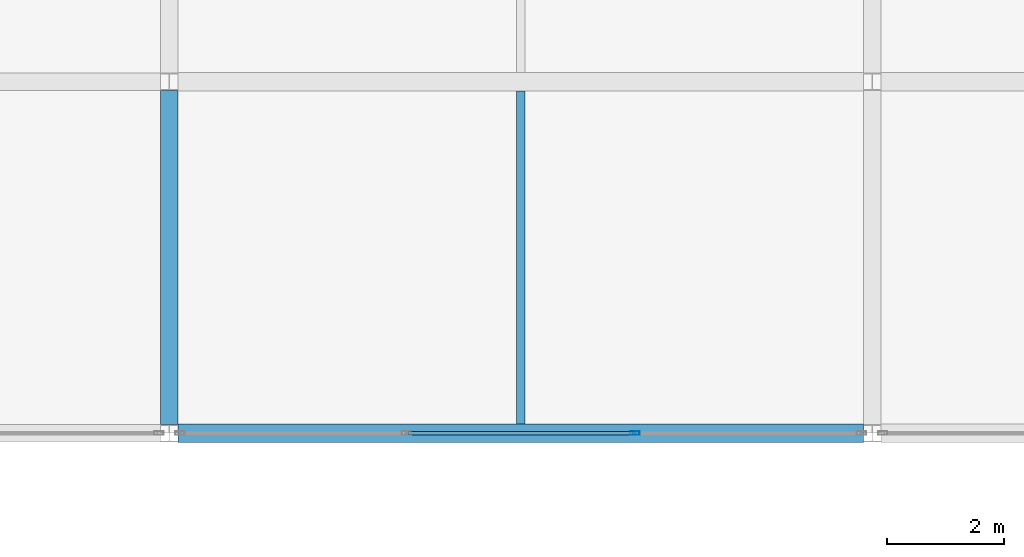
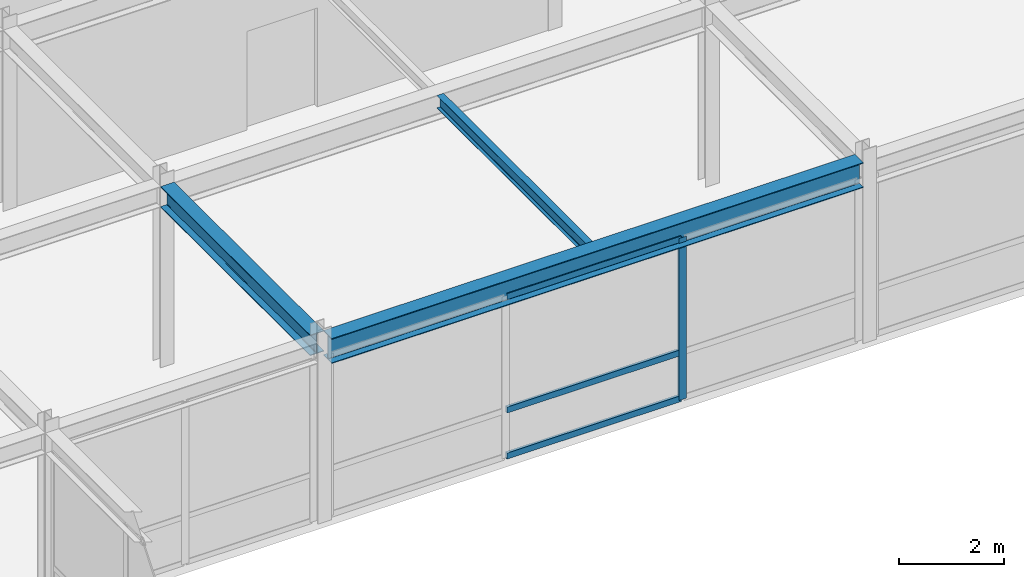
# One storey, part 69 of 108: 4 members, 3 beams, 1 element without a shape of its own.
"""IFC4 building model written with IfcOpenShell, lengths in metres."""

from ifc_helpers import new_model, si_unit, direction, frame, origin, origin_2d, place, context, subcontext, project, spatial, hollow_rectangle, i_section, extrude, material, layer, layer_set, material_profile, profile_set, type_object, element, aggregate, save


model = new_model("IFC4")

# Units and contexts
model_context = context("Model", 3, precision=1e-05, world=origin(), true_north=direction((0.0, 1.0)))
body_context = subcontext(model_context, "Body", "Model", "MODEL_VIEW")
ifc_project = project(units=[si_unit("LENGTHUNIT", "METRE"), si_unit("AREAUNIT", "SQUARE_METRE"), si_unit("VOLUMEUNIT", "CUBIC_METRE"), si_unit("PLANEANGLEUNIT", "RADIAN"), si_unit("MASSUNIT", "GRAM", prefix="KILO")], contexts=[model_context])

# Site, building, storey
site_placement = place(None, origin())
site = spatial("IfcSite", under=ifc_project, at=site_placement, CompositionType="ELEMENT")
building_placement = place(site_placement, origin())
building = spatial("IfcBuilding", under=site, at=building_placement, Name="Zlatovratsky Civic Hall", CompositionType="ELEMENT")
storey_placement = place(building_placement, frame((0.0, 0.0, 12.0)))
storey = spatial("IfcBuildingStorey", under=building, at=storey_placement, Name="L03", CompositionType="ELEMENT", Elevation=12.0)

# Beams
ifc_material_1 = material(Name="Steel S355", Category="steel")
ifc_material_profile_1 = material_profile(ifc_material_1, i_section(OverallWidth=0.300048828125, OverallDepth=0.48193359375, WebThickness=0.010986328125, FlangeThickness=0.014892578125, FilletRadius=0.02392578125, at=origin_2d()), Name="50Sh1")
ifc_profile_set_1 = profile_set([ifc_material_profile_1], Name="Steel S355")
beam_type_1 = type_object("IfcBeamType", Name="Beam_LibraryGirder_50Sh1", PredefinedType="BEAM", material=ifc_profile_set_1)
beam_1_placement = place(storey_placement, frame((24.0, 66.14794921875, 3.97900390625), z_axis=(0.0, 1.0, 0.0), x_axis=(-1.0, 0.0, 0.0)))
element("IfcBeam", 1, at=beam_1_placement, inside=storey, type_object=beam_type_1, Name="BM-2847", PredefinedType="BEAM", context=body_context, shape_type="SweptSolid", body=[
    extrude(i_section(OverallWidth=0.300048828125, OverallDepth=0.48193359375, WebThickness=0.010986328125, FlangeThickness=0.014892578125, FilletRadius=0.02392578125, at=origin_2d()), origin(), (0.0, 0.0, 1.0), 5.7041015625),
])
ifc_material_profile_2 = material_profile(ifc_material_1, i_section(OverallWidth=0.320068359375, OverallDepth=0.58203125, WebThickness=0.011962890625, FlangeThickness=0.01708984375, FilletRadius=0.02392578125, at=origin_2d()), Name="60Sh1")
ifc_profile_set_2 = profile_set([ifc_material_profile_2], Name="Steel S355")
beam_type_2 = type_object("IfcBeamType", Name="Beam_PodiumGirder_60Sh1", PredefinedType="BEAM", material=ifc_profile_set_2)
beam_2_placement = place(storey_placement, frame((24.1494140625, 66.0, 3.928955078125), z_axis=(1.0, 0.0, 0.0), x_axis=(0.0, 1.0, 0.0)))
element("IfcBeam", 2, at=beam_2_placement, inside=storey, type_object=beam_type_2, Name="BM-2608", PredefinedType="BEAM", context=body_context, shape_type="SweptSolid", body=[
    extrude(i_section(OverallWidth=0.320068359375, OverallDepth=0.58203125, WebThickness=0.011962890625, FlangeThickness=0.01708984375, FilletRadius=0.02392578125, at=origin_2d()), origin(), (0.0, 0.0, 1.0), 11.701171875),
])

# Curtain wall, members
ifc_material_2 = material(Name="Anodised bronze aluminium", Category="aluminium")
ifc_layer = layer(ifc_material_2, 0.159912109375)
ifc_layer_set = layer_set([ifc_layer], Name="Anodised bronze aluminium")
curtain_wall_type = type_object("IfcCurtainWallType", Name="CurtainWall_Bronze_11700x3770_11", PredefinedType="NOTDEFINED", material=ifc_layer_set)
curtain_wall_placement = place(storey_placement, origin())
curtain_wall = element("IfcCurtainWall", 3, at=curtain_wall_placement, inside=storey, type_object=curtain_wall_type, Name="CW-055", PredefinedType="NOTDEFINED")
ifc_material_profile_3 = material_profile(ifc_material_2, hollow_rectangle(XDim=0.06005859375, YDim=0.159912109375, WallThickness=0.00390625, at=origin_2d()), Name="ALU 60x160x4")
ifc_profile_set_3 = profile_set([ifc_material_profile_3], Name="Anodised bronze aluminium")
member_type_1 = type_object("IfcMemberType", Name="CW_Mullion_60x160", PredefinedType="MULLION", material=ifc_profile_set_3)
member_1_placement = place(storey_placement, frame((31.9501953125, 66.0, 0.0), z_axis=(0.0, 0.0, 1.0), x_axis=(0.0, 1.0, 0.0)))
member_1 = element("IfcMember", 4, at=member_1_placement, type_object=member_type_1, Name="CW-11 mullion 3", PredefinedType="MULLION", context=body_context, shape_type="SweptSolid", body=[
    extrude(hollow_rectangle(XDim=0.06005859375, YDim=0.159912109375, WallThickness=0.00390625, at=origin_2d()), origin(), (0.0, 0.0, 1.0), 3.77001953125),
])
ifc_material_profile_4 = material_profile(ifc_material_2, hollow_rectangle(XDim=0.06005859375, YDim=0.139892578125, WallThickness=0.00390625, at=origin_2d()), Name="ALU 60x140x4")
ifc_profile_set_4 = profile_set([ifc_material_profile_4], Name="Anodised bronze aluminium")
member_type_2 = type_object("IfcMemberType", Name="CW_Transom_60x140", PredefinedType="USERDEFINED", material=ifc_profile_set_4)
member_2_placement = place(storey_placement, frame((28.079833984375, 66.0, 0.030029296875), z_axis=(1.0, 0.0, 0.0), x_axis=(0.0, 1.0, 0.0)))
member_2 = element("IfcMember", 5, at=member_2_placement, type_object=member_type_2, Name="CW-11 transom 2.1", ObjectType="TRANSOM", PredefinedType="USERDEFINED", context=body_context, shape_type="SweptSolid", body=[
    extrude(hollow_rectangle(XDim=0.06005859375, YDim=0.139892578125, WallThickness=0.00390625, at=origin_2d()), origin(), (0.0, 0.0, 1.0), 3.84033203125),
])
member_3_placement = place(storey_placement, frame((28.079833984375, 66.0, 1.10009765625), z_axis=(1.0, 0.0, 0.0), x_axis=(0.0, 1.0, 0.0)))
member_3 = element("IfcMember", 6, at=member_3_placement, type_object=member_type_2, Name="CW-11 transom 2.2", ObjectType="TRANSOM", PredefinedType="USERDEFINED", context=body_context, shape_type="SweptSolid", body=[
    extrude(hollow_rectangle(XDim=0.06005859375, YDim=0.139892578125, WallThickness=0.00390625, at=origin_2d()), origin(), (0.0, 0.0, 1.0), 3.84033203125),
])
member_4_placement = place(storey_placement, frame((28.079833984375, 66.0, 3.739990234375), z_axis=(1.0, 0.0, 0.0), x_axis=(0.0, 1.0, 0.0)))
member_4 = element("IfcMember", 7, at=member_4_placement, type_object=member_type_2, Name="CW-11 transom 2.3", ObjectType="TRANSOM", PredefinedType="USERDEFINED", context=body_context, shape_type="SweptSolid", body=[
    extrude(hollow_rectangle(XDim=0.06005859375, YDim=0.139892578125, WallThickness=0.00390625, at=origin_2d()), origin(), (0.0, 0.0, 1.0), 3.84033203125),
])
aggregate(curtain_wall, [member_1, member_2, member_3, member_4])

# Beam
ifc_material_profile_5 = material_profile(ifc_material_1, i_section(OverallWidth=0.14892578125, OverallDepth=0.2958984375, WebThickness=0.005615234375, FlangeThickness=0.008056640625, FilletRadius=0.012939453125, at=origin_2d()), Name="30B1")
ifc_profile_set_5 = profile_set([ifc_material_profile_5], Name="Steel S355")
beam_type_3 = type_object("IfcBeamType", Name="Joist_Tower_30B1", PredefinedType="JOIST", material=ifc_profile_set_5)
beam_3_placement = place(storey_placement, frame((30.0, 66.159912109375, 4.072021484375), z_axis=(0.0, 1.0, 0.0), x_axis=(-1.0, 0.0, 0.0)))
element("IfcBeam", 8, at=beam_3_placement, inside=storey, type_object=beam_type_3, Name="BM-3151", PredefinedType="JOIST", context=body_context, shape_type="SweptSolid", body=[
    extrude(i_section(OverallWidth=0.14892578125, OverallDepth=0.2958984375, WebThickness=0.005615234375, FlangeThickness=0.008056640625, FilletRadius=0.012939453125, at=origin_2d()), origin(), (0.0, 0.0, 1.0), 5.68017578125),
])

save(model, "model.ifc")
